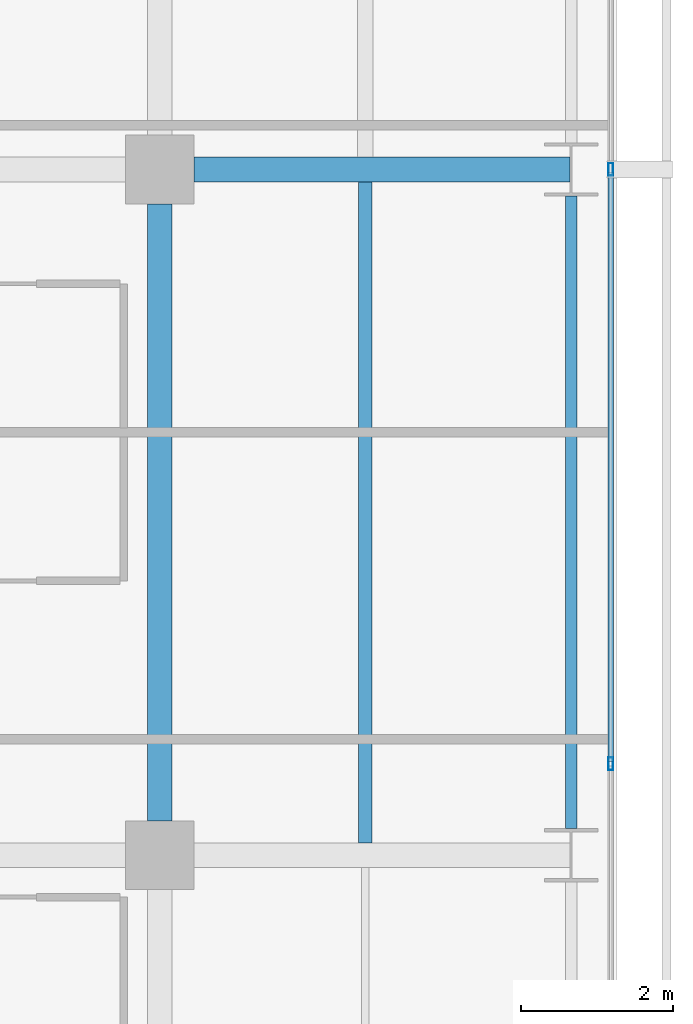
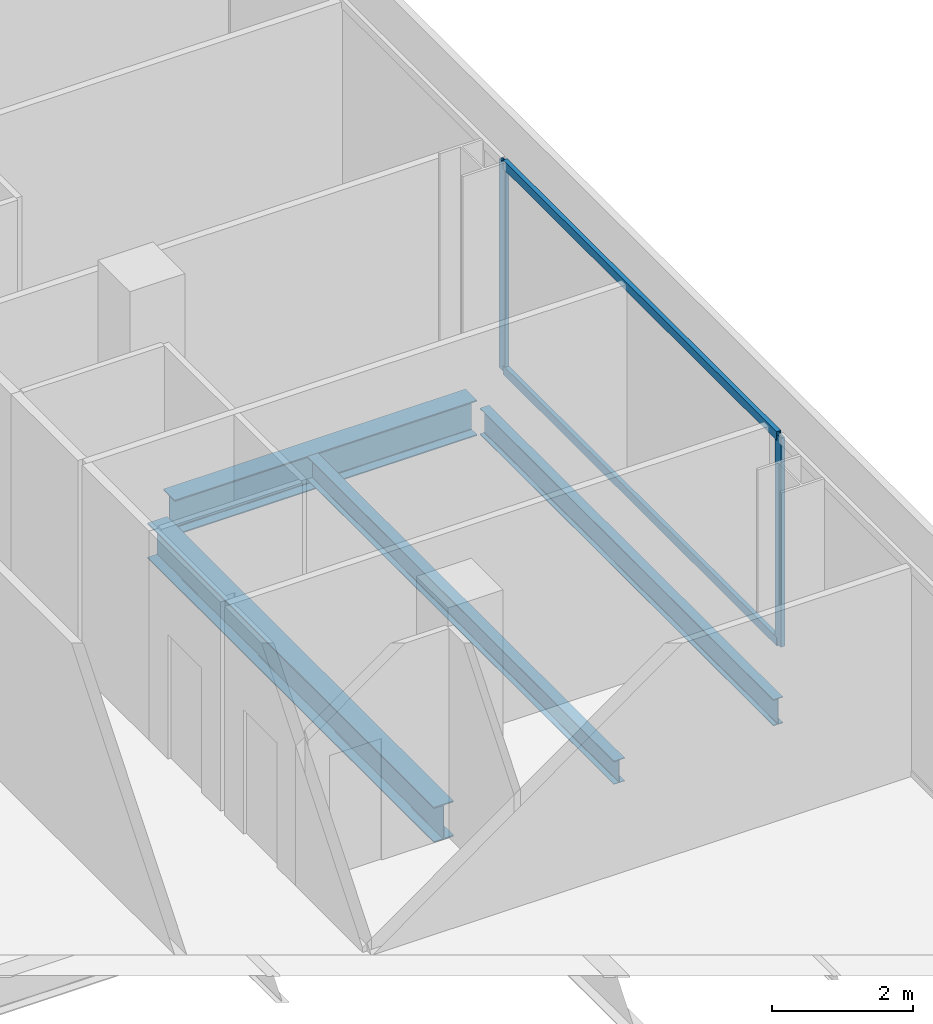
# One storey, part 19 of 40: 4 beams, 4 members, 1 element without a shape of its own.
"""IFC4 building model written with IfcOpenShell, lengths in metres."""

from ifc_helpers import new_model, si_unit, direction, frame, origin, origin_2d, place, context, subcontext, project, spatial, hollow_rectangle, i_section, extrude, material, layer, layer_set, material_profile, profile_set, type_object, element, aggregate, save


model = new_model("IFC4")

# Units and contexts
model_context = context("Model", 3, precision=1e-05, world=origin(), true_north=direction((0.0, 1.0)))
body_context = subcontext(model_context, "Body", "Model", "MODEL_VIEW")
ifc_project = project(units=[si_unit("LENGTHUNIT", "METRE"), si_unit("AREAUNIT", "SQUARE_METRE"), si_unit("VOLUMEUNIT", "CUBIC_METRE"), si_unit("PLANEANGLEUNIT", "RADIAN"), si_unit("MASSUNIT", "GRAM", prefix="KILO")], contexts=[model_context])

# Site, building, storey
site_placement = place(None, origin())
site = spatial("IfcSite", under=ifc_project, at=site_placement, CompositionType="ELEMENT")
building_placement = place(site_placement, origin())
building = spatial("IfcBuilding", under=site, at=building_placement, Name="Maruvema Waterfront Hotel and Observation Tower", CompositionType="ELEMENT")
storey_placement = place(building_placement, frame((0.0, 0.0, 77.0)))
storey = spatial("IfcBuildingStorey", under=building, at=storey_placement, Name="L18", CompositionType="ELEMENT", Elevation=77.0)

# Curtain wall, members
ifc_material_1 = material(Name="Anodised bronze aluminium and solar-control low-E IGU", Category="aluminium")
ifc_layer = layer(ifc_material_1, 0.159912109375, Name="Zone 1 Bronze Inner Thermal Curtain Wall System CW-02")
ifc_layer_set = layer_set([ifc_layer], Name="Anodised bronze aluminium and solar-control low-E IGU")
curtain_wall_type = type_object("IfcCurtainWallType", Name="Zone 1 Bronze Inner Thermal Curtain Wall System CW-02", PredefinedType="USERDEFINED", material=ifc_layer_set)
curtain_wall_placement = place(storey_placement, origin())
curtain_wall = element("IfcCurtainWall", 1, at=curtain_wall_placement, inside=storey, type_object=curtain_wall_type, Name="L18 Curtain Wall CW-L18-E", ObjectType="UNITISED CURTAIN WALL", PredefinedType="USERDEFINED")
ifc_material_2 = material(Name="Anodised architectural bronze aluminium", Category="aluminium")
ifc_material_profile_1 = material_profile(ifc_material_2, hollow_rectangle(XDim=0.070068359375, YDim=0.14990234375, WallThickness=0.00390625, at=origin_2d()), Name="ALU-T70x150")
ifc_profile_set_1 = profile_set([ifc_material_profile_1], Name="Anodised architectural bronze aluminium")
member_type_1 = type_object("IfcMemberType", Name="Curtain Wall Horizontal Transom ALU-T70x150", PredefinedType="USERDEFINED", material=ifc_profile_set_1)
member_1_placement = place(storey_placement, frame((64.719970703125, 19.22998046875, 0.030029296875), z_axis=(0.0, 1.0, 0.0), x_axis=(-1.0, 0.0, 0.0)))
member_1 = element("IfcMember", 2, at=member_1_placement, type_object=member_type_1, Name="CW-02 transom 3.1", ObjectType="TRANSOM", PredefinedType="USERDEFINED", context=body_context, shape_type="SweptSolid", body=[
    extrude(hollow_rectangle(XDim=0.070068359375, YDim=0.14990234375, WallThickness=0.00390625, at=origin_2d()), origin(), (0.0, 0.0, 1.0), 7.739990234375),
])
member_2_placement = place(storey_placement, frame((64.719970703125, 19.22998046875, 3.580078125), z_axis=(0.0, 1.0, 0.0), x_axis=(-1.0, 0.0, 0.0)))
member_2 = element("IfcMember", 3, at=member_2_placement, type_object=member_type_1, Name="CW-02 transom 3.2", ObjectType="TRANSOM", PredefinedType="USERDEFINED", context=body_context, shape_type="SweptSolid", body=[
    extrude(hollow_rectangle(XDim=0.070068359375, YDim=0.14990234375, WallThickness=0.00390625, at=origin_2d()), origin(), (0.0, 0.0, 1.0), 7.739990234375),
])
ifc_material_3 = material(Name="Anodised architectural bronze aluminium", Category="aluminium")
ifc_material_profile_2 = material_profile(ifc_material_3, hollow_rectangle(XDim=0.06494140625, YDim=0.1650390625, WallThickness=0.00390625, at=origin_2d()), Name="ALU-M65x165")
ifc_profile_set_2 = profile_set([ifc_material_profile_2], Name="Anodised architectural bronze aluminium")
member_type_2 = type_object("IfcMemberType", Name="Curtain Wall Primary Mullion ALU-M65x165", PredefinedType="MULLION", material=ifc_profile_set_2)
member_3_placement = place(storey_placement, frame((64.719970703125, 19.199951171875, 0.0), z_axis=(0.0, 0.0, 1.0), x_axis=(-1.0, 0.0, 0.0)))
member_3 = element("IfcMember", 4, at=member_3_placement, type_object=member_type_2, Name="CW-02 mullion 3", PredefinedType="MULLION", context=body_context, shape_type="SweptSolid", body=[
    extrude(hollow_rectangle(XDim=0.06494140625, YDim=0.1650390625, WallThickness=0.00390625, at=origin_2d()), origin(), (0.0, 0.0, 1.0), 3.610107421875),
])
member_4_placement = place(storey_placement, frame((64.719970703125, 27.0, 0.0), z_axis=(0.0, 0.0, 1.0), x_axis=(-1.0, 0.0, 0.0)))
member_4 = element("IfcMember", 5, at=member_4_placement, type_object=member_type_2, Name="CW-02 mullion 4", PredefinedType="MULLION", context=body_context, shape_type="SweptSolid", body=[
    extrude(hollow_rectangle(XDim=0.06494140625, YDim=0.1650390625, WallThickness=0.00390625, at=origin_2d()), origin(), (0.0, 0.0, 1.0), 3.610107421875),
])
aggregate(curtain_wall, [member_3, member_4, member_1, member_2])

# Beams
ifc_material_4 = material(Name="Steel ASTM A572 Grade 50", Category="steel")
ifc_material_profile_3 = material_profile(ifc_material_4, i_section(OverallWidth=0.153076171875, OverallDepth=0.455078125, WebThickness=0.008056640625, FlangeThickness=0.01318359375, FilletRadius=0.014892578125, at=origin_2d()), Name="W460x60.0")
ifc_profile_set_3 = profile_set([ifc_material_profile_3], Name="Steel ASTM A572 Grade 50")
beam_type_1 = type_object("IfcBeamType", Name="Perimeter Spandrel Beam W460x60.0", PredefinedType="SPANDREL", material=ifc_profile_set_3)
beam_1_placement = place(storey_placement, frame((64.199951171875, 18.35009765625, -0.467529296875), z_axis=(0.0, 1.0, 0.0), x_axis=(-1.0, 0.0, 0.0)))
element("IfcBeam", 6, at=beam_1_placement, inside=storey, type_object=beam_type_1, Name="L18 Floor Girder NS-34", PredefinedType="SPANDREL", context=body_context, shape_type="SweptSolid", body=[
    extrude(i_section(OverallWidth=0.153076171875, OverallDepth=0.455078125, WebThickness=0.008056640625, FlangeThickness=0.01318359375, FilletRadius=0.014892578125, at=origin_2d()), origin(), (0.0, 0.0, 1.0), 8.2998046875),
])
ifc_material_5 = material(Name="Steel ASTM A572 Grade 50", Category="steel")
ifc_material_profile_4 = material_profile(ifc_material_5, i_section(OverallWidth=0.323974609375, OverallDepth=0.611083984375, WebThickness=0.0126953125, FlangeThickness=0.01904296875, FilletRadius=0.01806640625, at=origin_2d()), Name="W610x155.0")
ifc_profile_set_4 = profile_set([ifc_material_profile_4], Name="Steel ASTM A572 Grade 50")
beam_type_2 = type_object("IfcBeamType", Name="Primary Floor Girder W610x155.0", PredefinedType="BEAM", material=ifc_profile_set_4)
beam_2_placement = place(storey_placement, frame((59.25, 27.0, -0.54541015625), z_axis=(1.0, 0.0, 0.0), x_axis=(0.0, 1.0, 0.0)))
element("IfcBeam", 7, at=beam_2_placement, inside=storey, type_object=beam_type_2, Name="L18 Floor Girder EW-24", PredefinedType="BEAM", context=body_context, shape_type="SweptSolid", body=[
    extrude(i_section(OverallWidth=0.323974609375, OverallDepth=0.611083984375, WebThickness=0.0126953125, FlangeThickness=0.01904296875, FilletRadius=0.01806640625, at=origin_2d()), origin(), (0.0, 0.0, 1.0), 4.93603515625),
])
beam_3_placement = place(storey_placement, frame((58.800048828125, 18.449951171875, -0.54541015625), z_axis=(0.0, 1.0, 0.0), x_axis=(-1.0, 0.0, 0.0)))
element("IfcBeam", 8, at=beam_3_placement, inside=storey, type_object=beam_type_2, Name="L18 Floor Girder NS-29", PredefinedType="BEAM", context=body_context, shape_type="SweptSolid", body=[
    extrude(i_section(OverallWidth=0.323974609375, OverallDepth=0.611083984375, WebThickness=0.0126953125, FlangeThickness=0.01904296875, FilletRadius=0.01806640625, at=origin_2d()), origin(), (0.0, 0.0, 1.0), 8.10009765625),
])
ifc_material_6 = material(Name="Steel ASTM A572 Grade 50", Category="steel")
ifc_material_profile_5 = material_profile(ifc_material_6, i_section(OverallWidth=0.177001953125, OverallDepth=0.403076171875, WebThickness=0.007568359375, FlangeThickness=0.010986328125, FilletRadius=0.014892578125, at=origin_2d()), Name="W410x53.0")
ifc_profile_set_5 = profile_set([ifc_material_profile_5], Name="Steel ASTM A572 Grade 50")
beam_type_3 = type_object("IfcBeamType", Name="Secondary Floor Joist W410x53.0", PredefinedType="JOIST", material=ifc_profile_set_5)
beam_4_placement = place(storey_placement, frame((61.5, 18.162109375, -0.44140625), z_axis=(0.0, 1.0, 0.0), x_axis=(-1.0, 0.0, 0.0)))
element("IfcBeam", 9, at=beam_4_placement, inside=storey, type_object=beam_type_3, Name="L18 Secondary Floor Joist JS-22", PredefinedType="JOIST", context=body_context, shape_type="SweptSolid", body=[
    extrude(i_section(OverallWidth=0.177001953125, OverallDepth=0.403076171875, WebThickness=0.007568359375, FlangeThickness=0.010986328125, FilletRadius=0.014892578125, at=origin_2d()), origin(), (0.0, 0.0, 1.0), 8.67578125),
])

save(model, "model.ifc")
